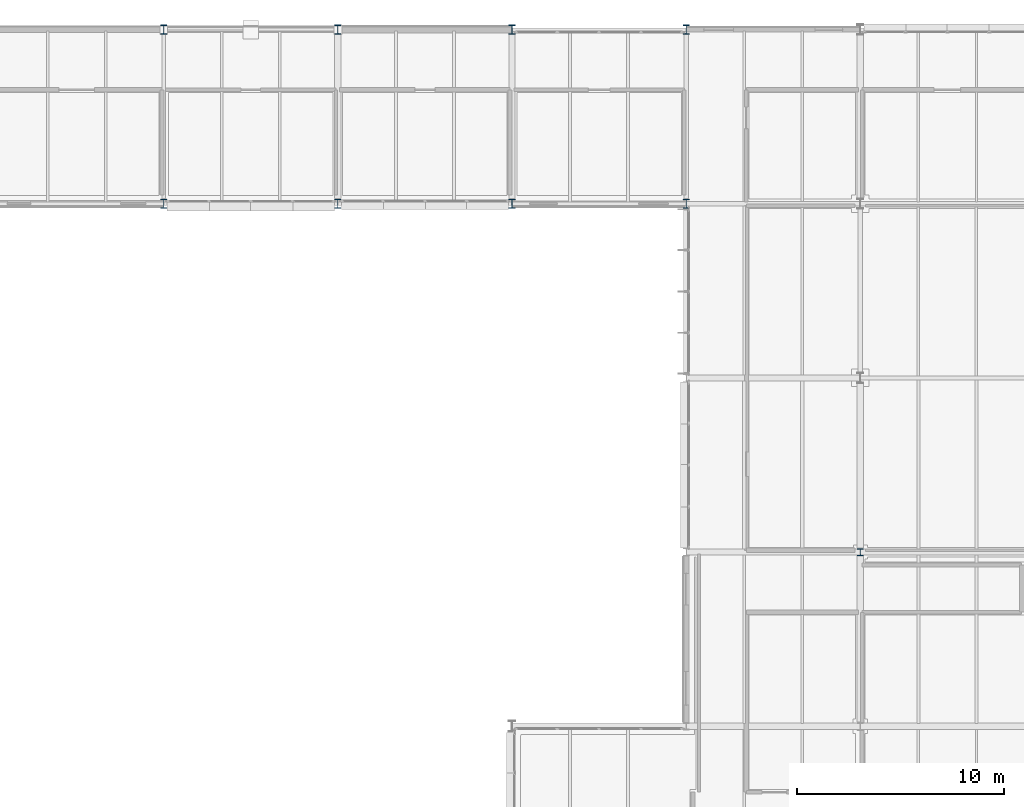
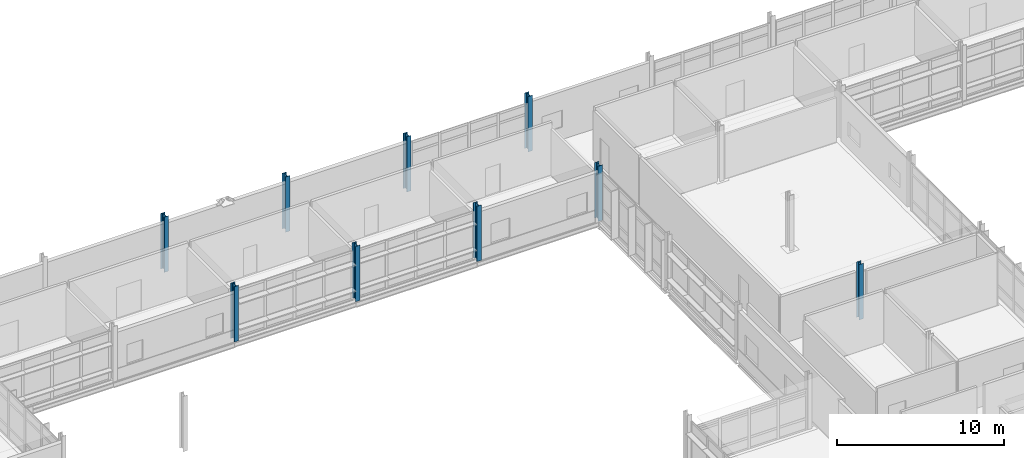
# One storey, part 9 of 131: 9 columns.
"""IFC4 building model written with IfcOpenShell, lengths in metres."""

from ifc_helpers import new_model, si_unit, direction, frame, origin, origin_2d, place, context, subcontext, project, spatial, i_section, extrude, material, material_profile, profile_set, type_object, element, save


model = new_model("IFC4")

# Units and contexts
model_context = context("Model", 3, precision=1e-05, world=origin(), true_north=direction((0.0, 1.0)))
body_context = subcontext(model_context, "Body", "Model", "MODEL_VIEW")
ifc_project = project(units=[si_unit("LENGTHUNIT", "METRE"), si_unit("AREAUNIT", "SQUARE_METRE"), si_unit("VOLUMEUNIT", "CUBIC_METRE"), si_unit("PLANEANGLEUNIT", "RADIAN"), si_unit("MASSUNIT", "GRAM", prefix="KILO")], contexts=[model_context])

# Site, building, storey
site_placement = place(None, origin())
site = spatial("IfcSite", under=ifc_project, at=site_placement, CompositionType="ELEMENT")
building_placement = place(site_placement, origin())
building = spatial("IfcBuilding", under=site, at=building_placement, Name="Mersafa Astral City Hall", CompositionType="ELEMENT")
storey_placement = place(building_placement, frame((0.0, 0.0, 13.949951171875)))
storey = spatial("IfcBuildingStorey", under=building, at=storey_placement, Name="L03", CompositionType="ELEMENT", Elevation=13.949951171875)

# Columns
ifc_material = material(Name="Steel S355", Category="steel")
ifc_material_profile_1 = material_profile(ifc_material, i_section(OverallWidth=0.300048828125, OverallDepth=0.340087890625, WebThickness=0.011962890625, FlangeThickness=0.021484375, FilletRadius=0.027099609375, at=origin_2d()), Name="HEB 340")
ifc_profile_set_1 = profile_set([ifc_material_profile_1], Name="Steel S355")
column_type_1 = type_object("IfcColumnType", Name="STR-COL-HEB340", PredefinedType="COLUMN", material=ifc_profile_set_1)
column_placement = place(storey_placement, frame((109.199951171875, 100.800048828125, 0.0), z_axis=(0.0, 0.0, 1.0), x_axis=(1.0, 0.0, 0.0)))
element("IfcColumn", 1, at=column_placement, inside=storey, type_object=column_type_1, Name="L03 Structural column G-13-12", PredefinedType="COLUMN", context=body_context, shape_type="SweptSolid", body=[
    extrude(i_section(OverallWidth=0.300048828125, OverallDepth=0.340087890625, WebThickness=0.011962890625, FlangeThickness=0.021484375, FilletRadius=0.027099609375, at=origin_2d()), origin(), (0.0, 0.0, 1.0), 4.050048828125),
])
ifc_material_profile_2 = material_profile(ifc_material, i_section(OverallWidth=0.300048828125, OverallDepth=0.449951171875, WebThickness=0.013916015625, FlangeThickness=0.02587890625, FilletRadius=0.027099609375, at=origin_2d()), Name="HEB 450")
ifc_profile_set_2 = profile_set([ifc_material_profile_2], Name="Steel S355")
column_type_2 = type_object("IfcColumnType", Name="STR-COL-HEB450", PredefinedType="COLUMN", material=ifc_profile_set_2)
for number, where, z_axis, x_axis, name in (
    (2, (75.60009765625, 117.60009765625, 0.0), (0.0, 0.0, 1.0), (1.0, 0.0, 0.0), "L03 Structural column G-09-14"),
    (3, (75.60009765625, 126.0, 0.0), (0.0, 0.0, 1.0), (1.0, 0.0, 0.0), "L03 Structural column G-09-15"),
    (4, (84.0, 117.60009765625, 0.0), (0.0, 0.0, 1.0), (1.0, 0.0, 0.0), "L03 Structural column G-10-14"),
    (5, (84.0, 126.0, 0.0), (0.0, 0.0, 1.0), (1.0, 0.0, 0.0), "L03 Structural column G-10-15"),
    (6, (92.39990234375, 117.60009765625, 0.0), (0.0, 0.0, 1.0), (1.0, 0.0, 0.0), "L03 Structural column G-11-14"),
    (7, (92.39990234375, 126.0, 0.0), (0.0, 0.0, 1.0), (1.0, 0.0, 0.0), "L03 Structural column G-11-15"),
    (8, (100.800048828125, 117.60009765625, 0.0), (0.0, 0.0, 1.0), (1.0, 0.0, 0.0), "L03 Structural column G-12-14"),
    (9, (100.800048828125, 126.0, 0.0), (0.0, 0.0, 1.0), (1.0, 0.0, 0.0), "L03 Structural column G-12-15"),
):
    element("IfcColumn", number, at=place(storey_placement, frame(where, z_axis=z_axis, x_axis=x_axis)), inside=storey, type_object=column_type_2, Name=name, PredefinedType="COLUMN", context=body_context, shape_type="SweptSolid", body=[
        extrude(i_section(OverallWidth=0.300048828125, OverallDepth=0.449951171875, WebThickness=0.013916015625, FlangeThickness=0.02587890625, FilletRadius=0.027099609375, at=origin_2d()), origin(), (0.0, 0.0, 1.0), 4.050048828125),
    ])

save(model, "model.ifc")
